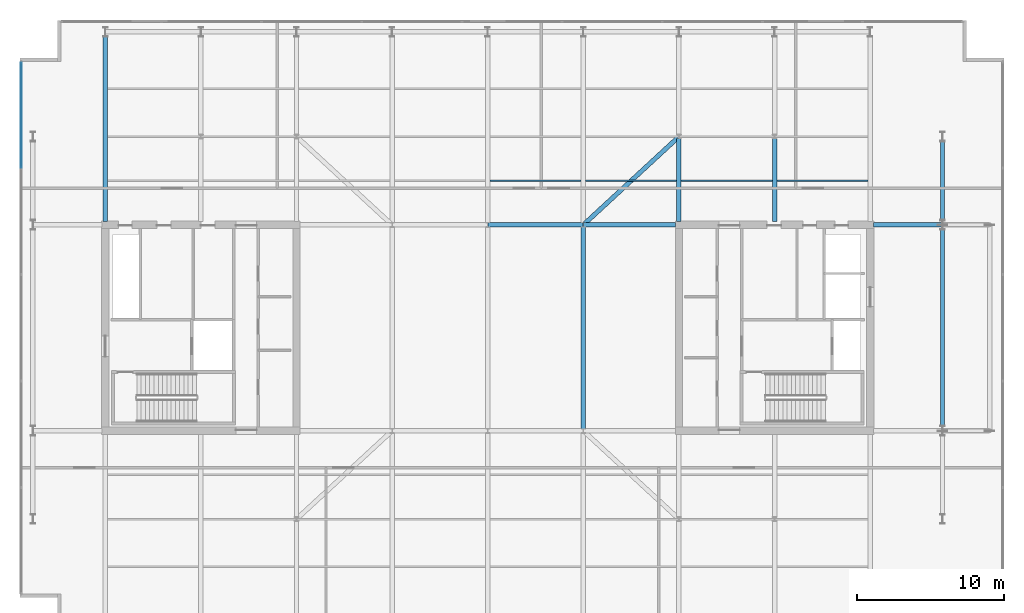
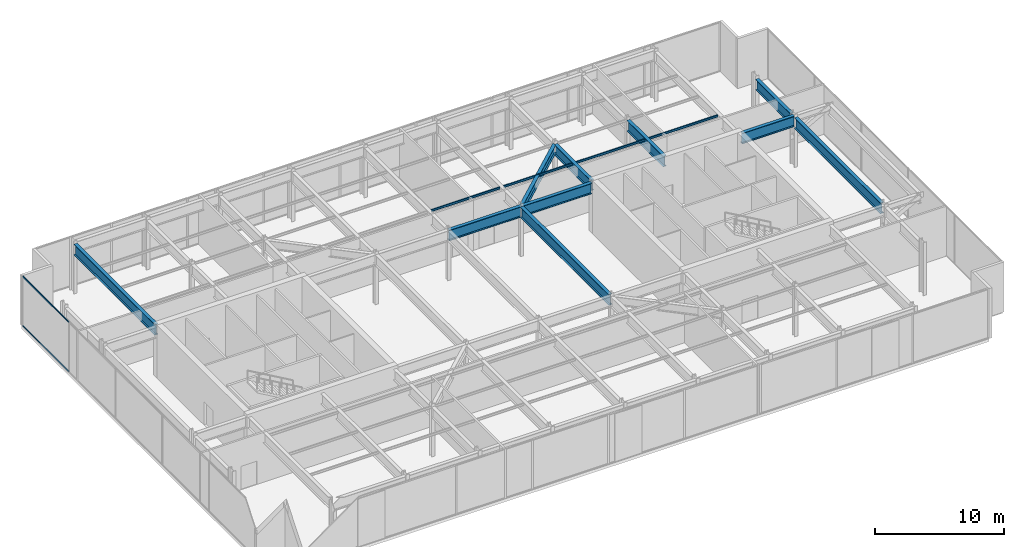
# One storey, part 10 of 23: 14 beams, 2 members, 1 element without a shape of its own.
"""IFC4 building model written with IfcOpenShell, lengths in metres."""

from ifc_helpers import new_model, si_unit, direction, frame, origin, origin_2d, place, context, subcontext, project, spatial, rectangle, i_section, extrude, material, layer, layer_set, material_profile, profile_set, type_object, element, aggregate, save


model = new_model("IFC4")

# Units and contexts
model_context = context("Model", 3, precision=1e-05, world=origin(), true_north=direction((0.0, 1.0)))
body_context = subcontext(model_context, "Body", "Model", "MODEL_VIEW")
ifc_project = project(units=[si_unit("LENGTHUNIT", "METRE"), si_unit("AREAUNIT", "SQUARE_METRE"), si_unit("VOLUMEUNIT", "CUBIC_METRE"), si_unit("PLANEANGLEUNIT", "RADIAN"), si_unit("MASSUNIT", "GRAM", prefix="KILO")], contexts=[model_context])

# Site, building, storey
site_placement = place(None, origin())
site = spatial("IfcSite", under=ifc_project, at=site_placement, CompositionType="ELEMENT")
building_placement = place(site_placement, origin())
building = spatial("IfcBuilding", under=site, at=building_placement, Name="Putna Gate Headquarters", CompositionType="ELEMENT")
storey_placement = place(building_placement, frame((0.0, 0.0, 310.39990234375)))
storey = spatial("IfcBuildingStorey", under=building, at=storey_placement, Name="L78", CompositionType="ELEMENT", Elevation=310.39990234375)

# Beams
ifc_material_1 = material(Name="Steel S355J2", Category="steel")
ifc_material_profile_1 = material_profile(ifc_material_1, i_section(OverallWidth=0.300048828125, OverallDepth=0.800048828125, WebThickness=0.017578125, FlangeThickness=0.032958984375, at=origin_2d()), Name="Steel S355J2")
ifc_profile_set_1 = profile_set([ifc_material_profile_1], Name="Steel S355J2")
beam_type_1 = type_object("IfcBeamType", Name="BM-GIRD-P-HEB800", PredefinedType="USERDEFINED", material=ifc_profile_set_1)
beam_1_placement = place(storey_placement, frame((51.92431640625, 38.93017578125, 4.320068359375), z_axis=(-0.734799111247, -0.678284797199, 0.0), x_axis=(0.678284797199, -0.734799111247, 0.0)))
element("IfcBeam", 1, at=beam_1_placement, inside=storey, type_object=beam_type_1, Name="L78 Core Flank Collector Tie Girder NE", ObjectType="GIRDER", PredefinedType="USERDEFINED", context=body_context, shape_type="SweptSolid", body=[
    extrude(i_section(OverallWidth=0.300048828125, OverallDepth=0.800048828125, WebThickness=0.017578125, FlangeThickness=0.032958984375, at=origin_2d()), origin(), (0.0, 0.0, 1.0), 8.639892578125),
])
ifc_material_profile_2 = material_profile(ifc_material_1, i_section(OverallWidth=0.10009765625, OverallDepth=0.199951171875, WebThickness=0.005615234375, FlangeThickness=0.008544921875, at=origin_2d()), Name="Steel S355J2")
ifc_profile_set_2 = profile_set([ifc_material_profile_2], Name="Steel S355J2")
beam_type_2 = type_object("IfcBeamType", Name="BM-SEC-PLT-IPE200", PredefinedType="JOIST", material=ifc_profile_set_2)
for number, where, z_axis, x_axis, name in (
    (2, (39.155029296875, 36.0, 4.6201171875), (1.0, 0.0, 0.0), (0.0, 1.0, 0.0), "L78 North Secondary Beam 5"),
    (3, (45.655029296875, 36.0, 4.6201171875), (1.0, 0.0, 0.0), (0.0, 1.0, 0.0), "L78 North Secondary Beam 6"),
    (4, (52.155029296875, 36.0, 4.6201171875), (1.0, 0.0, 0.0), (0.0, 1.0, 0.0), "L78 North Secondary Beam 7"),
    (5, (58.655029296875, 36.0, 4.6201171875), (1.0, 0.0, 0.0), (0.0, 1.0, 0.0), "L78 North Secondary Beam 8"),
):
    element("IfcBeam", number, at=place(storey_placement, frame(where, z_axis=z_axis, x_axis=x_axis)), inside=storey, type_object=beam_type_2, Name=name, PredefinedType="JOIST", context=body_context, shape_type="SweptSolid", body=[
        extrude(i_section(OverallWidth=0.10009765625, OverallDepth=0.199951171875, WebThickness=0.005615234375, FlangeThickness=0.008544921875, at=origin_2d()), origin(), (0.0, 0.0, 1.0), 6.18994140625),
    ])
ifc_material_2 = material(Name="Steel S460M", Category="steel")
ifc_material_profile_3 = material_profile(ifc_material_2, i_section(OverallWidth=0.302001953125, OverallDepth=1.008056640625, WebThickness=0.02099609375, FlangeThickness=0.0400390625, at=origin_2d()), Name="Steel S460M")
ifc_profile_set_3 = profile_set([ifc_material_profile_3], Name="Steel S460M")
beam_type_3 = type_object("IfcBeamType", Name="BM-TG-HEM1000", PredefinedType="USERDEFINED", material=ifc_profile_set_3)
beam_2_placement = place(storey_placement, frame((65.235107421875, 33.0, 4.216064453125), z_axis=(1.0, 0.0, 0.0), x_axis=(0.0, 1.0, 0.0)))
element("IfcBeam", 6, at=beam_2_placement, inside=storey, type_object=beam_type_3, Name="L78 East Wing Girder Y33", ObjectType="GIRDER", PredefinedType="USERDEFINED", context=body_context, shape_type="SweptSolid", body=[
    extrude(i_section(OverallWidth=0.302001953125, OverallDepth=1.008056640625, WebThickness=0.02099609375, FlangeThickness=0.0400390625, at=origin_2d()), origin(), (0.0, 0.0, 1.0), 4.678955078125),
])
beam_3_placement = place(storey_placement, frame((13.0, 33.235107421875, 4.216064453125), z_axis=(0.0, 1.0, 0.0), x_axis=(-1.0, 0.0, 0.0)))
element("IfcBeam", 7, at=beam_3_placement, inside=storey, type_object=beam_type_3, Name="L78 North Primary Girder X13", ObjectType="GIRDER", PredefinedType="USERDEFINED", context=body_context, shape_type="SweptSolid", body=[
    extrude(i_section(OverallWidth=0.302001953125, OverallDepth=1.008056640625, WebThickness=0.02099609375, FlangeThickness=0.0400390625, at=origin_2d()), origin(), (0.0, 0.0, 1.0), 12.56298828125),
])
for number, where, z_axis, x_axis, name in (
    (8, (52.0, 33.235107421875, 4.216064453125), (0.0, 1.0, 0.0), (-1.0, 0.0, 0.0), "L78 North Primary Girder X52-1"),
    (9, (58.5, 33.235107421875, 4.216064453125), (0.0, 1.0, 0.0), (-1.0, 0.0, 0.0), "L78 North Primary Girder X58-1"),
):
    element("IfcBeam", number, at=place(storey_placement, frame(where, z_axis=z_axis, x_axis=x_axis)), inside=storey, type_object=beam_type_3, Name=name, ObjectType="GIRDER", PredefinedType="USERDEFINED", context=body_context, shape_type="SweptSolid", body=[
        extrude(i_section(OverallWidth=0.302001953125, OverallDepth=1.008056640625, WebThickness=0.02099609375, FlangeThickness=0.0400390625, at=origin_2d()), origin(), (0.0, 0.0, 1.0), 5.626953125),
    ])
beam_4_placement = place(storey_placement, frame((39.006103515625, 33.0, 4.216064453125), z_axis=(1.0, 0.0, 0.0), x_axis=(0.0, 1.0, 0.0)))
element("IfcBeam", 10, at=beam_4_placement, inside=storey, type_object=beam_type_3, Name="L78 Atrium Edge Beam AN3", ObjectType="GIRDER", PredefinedType="USERDEFINED", context=body_context, shape_type="SweptSolid", body=[
    extrude(i_section(OverallWidth=0.302001953125, OverallDepth=1.008056640625, WebThickness=0.02099609375, FlangeThickness=0.0400390625, at=origin_2d()), origin(), (0.0, 0.0, 1.0), 6.48779296875),
])
beam_5_placement = place(storey_placement, frame((45.506103515625, 33.0, 4.216064453125), z_axis=(1.0, 0.0, 0.0), x_axis=(0.0, 1.0, 0.0)))
element("IfcBeam", 11, at=beam_5_placement, inside=storey, type_object=beam_type_3, Name="L78 Atrium Edge Beam AN4", ObjectType="GIRDER", PredefinedType="USERDEFINED", context=body_context, shape_type="SweptSolid", body=[
    extrude(i_section(OverallWidth=0.302001953125, OverallDepth=1.008056640625, WebThickness=0.02099609375, FlangeThickness=0.0400390625, at=origin_2d()), origin(), (0.0, 0.0, 1.0), 6.2587890625),
])
beam_6_placement = place(storey_placement, frame((45.5, 19.137939453125, 4.216064453125), z_axis=(0.0, 1.0, 0.0), x_axis=(-1.0, 0.0, 0.0)))
element("IfcBeam", 12, at=beam_6_placement, inside=storey, type_object=beam_type_3, Name="L78 Plant Floor Central Tie Girder X45", ObjectType="GIRDER", PredefinedType="USERDEFINED", context=body_context, shape_type="SweptSolid", body=[
    extrude(i_section(OverallWidth=0.302001953125, OverallDepth=1.008056640625, WebThickness=0.02099609375, FlangeThickness=0.0400390625, at=origin_2d()), origin(), (0.0, 0.0, 1.0), 13.72412109375),
])
ifc_material_profile_4 = material_profile(ifc_material_2, i_section(OverallWidth=0.302001953125, OverallDepth=1.008056640625, WebThickness=0.02099609375, FlangeThickness=0.0400390625, at=origin_2d()), Name="Steel S460M")
ifc_profile_set_4 = profile_set([ifc_material_profile_4], Name="Steel S460M")
beam_type_4 = type_object("IfcBeamType", Name="BM-TG-HEM1000-EXT", PredefinedType="USERDEFINED", material=ifc_profile_set_4)
beam_7_placement = place(storey_placement, frame((69.919921875, 19.322021484375, 4.216064453125), z_axis=(0.0, 1.0, 0.0), x_axis=(-1.0, 0.0, 0.0)))
element("IfcBeam", 13, at=beam_7_placement, inside=storey, type_object=beam_type_4, Name="L78 E End Spandrel 2", ObjectType="GIRDER", PredefinedType="USERDEFINED", context=body_context, shape_type="SweptSolid", body=[
    extrude(i_section(OverallWidth=0.302001953125, OverallDepth=1.008056640625, WebThickness=0.02099609375, FlangeThickness=0.0400390625, at=origin_2d()), origin(), (0.0, 0.0, 1.0), 13.35595703125),
])
beam_8_placement = place(storey_placement, frame((69.919921875, 33.322021484375, 4.216064453125), z_axis=(0.0, 1.0, 0.0), x_axis=(-1.0, 0.0, 0.0)))
element("IfcBeam", 14, at=beam_8_placement, inside=storey, type_object=beam_type_4, Name="L78 E End Spandrel 3", ObjectType="GIRDER", PredefinedType="USERDEFINED", context=body_context, shape_type="SweptSolid", body=[
    extrude(i_section(OverallWidth=0.302001953125, OverallDepth=1.008056640625, WebThickness=0.02099609375, FlangeThickness=0.0400390625, at=origin_2d()), origin(), (0.0, 0.0, 1.0), 5.35595703125),
])

# Curtain wall, members
ifc_material_3 = material(Name="Anodised bronze aluminium curtain wall", Category="aluminium")
ifc_layer = layer(ifc_material_3, 0.159912109375)
ifc_layer_set = layer_set([ifc_layer], Name="Anodised bronze aluminium curtain wall")
curtain_wall_type = type_object("IfcCurtainWallType", Name="CW-SYS-CRN", PredefinedType="USERDEFINED", material=ifc_layer_set)
curtain_wall_placement = place(storey_placement, origin())
curtain_wall = element("IfcCurtainWall", 15, at=curtain_wall_placement, inside=storey, type_object=curtain_wall_type, Name="L78 Acoustic Louvre West Enclosure", ObjectType="STICK CURTAIN WALL", PredefinedType="USERDEFINED")
ifc_material_4 = material(Name="Anodised bronze aluminium EN AW-6060", Category="aluminium")
ifc_material_profile_5 = material_profile(ifc_material_4, rectangle(XDim=0.06494140625, YDim=0.1201171875, at=origin_2d()), Name="Anodised bronze aluminium EN AW-6060")
ifc_profile_set_5 = profile_set([ifc_material_profile_5], Name="Anodised bronze aluminium EN AW-6060")
member_type = type_object("IfcMemberType", Name="TRAN-CWT-CR", PredefinedType="USERDEFINED", material=ifc_profile_set_5)
member_1_placement = place(storey_placement, frame((7.280029296875, 36.892578125, 0.03271484375), z_axis=(0.0, 1.0, 0.0), x_axis=(-1.0, 0.0, 0.0)))
member_1 = element("IfcMember", 16, at=member_1_placement, type_object=member_type, Name="CWS-CR transom 5.1", ObjectType="TRANSOM", PredefinedType="USERDEFINED", context=body_context, shape_type="SweptSolid", body=[
    extrude(rectangle(XDim=0.06494140625, YDim=0.1201171875, at=origin_2d()), origin(), (0.0, 0.0, 1.0), 7.142333984375),
])
member_2_placement = place(storey_placement, frame((7.280029296875, 36.892578125, 4.6875), z_axis=(0.0, 1.0, 0.0), x_axis=(-1.0, 0.0, 0.0)))
member_2 = element("IfcMember", 17, at=member_2_placement, type_object=member_type, Name="CWS-CR transom 5.2", ObjectType="TRANSOM", PredefinedType="USERDEFINED", context=body_context, shape_type="SweptSolid", body=[
    extrude(rectangle(XDim=0.06494140625, YDim=0.1201171875, at=origin_2d()), origin(), (0.0, 0.0, 1.0), 7.142333984375),
])
aggregate(curtain_wall, [member_1, member_2])

save(model, "model.ifc")
